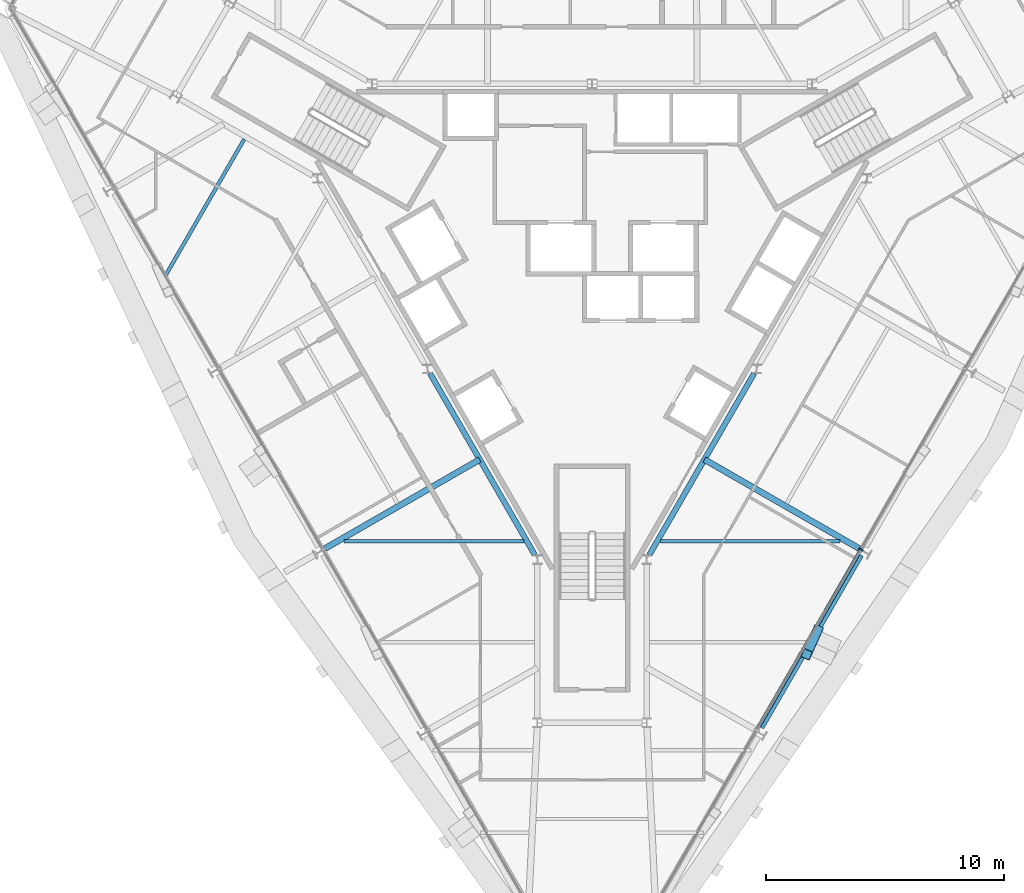
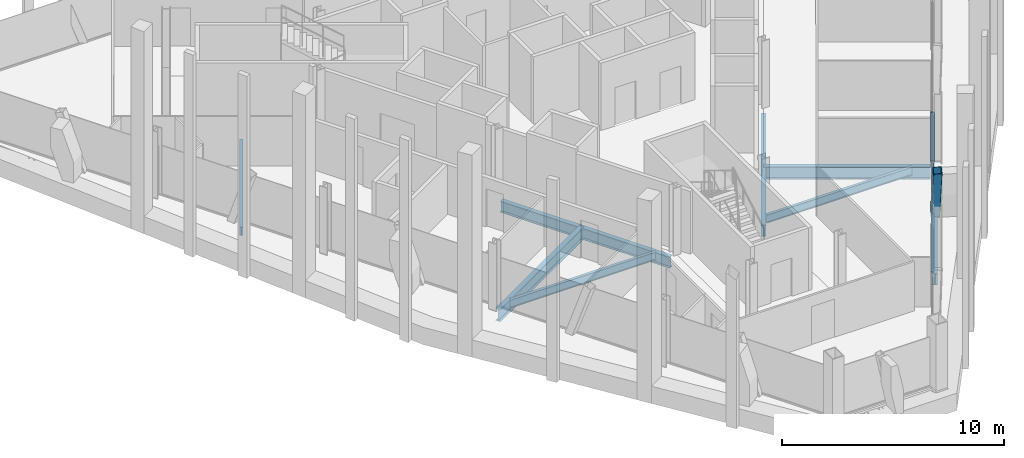
# One storey, part 4 of 14: 8 beams, 3 members, 1 element without a shape of its own.
"""IFC4 building model written with IfcOpenShell, lengths in metres."""

from ifc_helpers import new_model, si_unit, direction, frame, origin, origin_2d, place, context, subcontext, project, spatial, rectangle, hollow_rectangle, i_section, extrude, material, material_profile, profile_set, type_object, element, aggregate, save


model = new_model("IFC4")

# Units and contexts
model_context = context("Model", 3, precision=1e-05, world=origin(), true_north=direction((0.0, 1.0)))
body_context = subcontext(model_context, "Body", "Model", "MODEL_VIEW")
ifc_project = project(units=[si_unit("LENGTHUNIT", "METRE"), si_unit("AREAUNIT", "SQUARE_METRE"), si_unit("VOLUMEUNIT", "CUBIC_METRE"), si_unit("PLANEANGLEUNIT", "RADIAN"), si_unit("MASSUNIT", "GRAM", prefix="KILO")], contexts=[model_context])

# Site, building, storey
site_placement = place(None, origin())
site = spatial("IfcSite", under=ifc_project, at=site_placement, CompositionType="ELEMENT")
building_placement = place(site_placement, origin())
building = spatial("IfcBuilding", under=site, at=building_placement, Name="Verrane Prism Tower", CompositionType="ELEMENT")
storey_placement = place(building_placement, frame((0.0, 0.0, 217.5)))
storey = spatial("IfcBuildingStorey", under=building, at=storey_placement, Name="L54", CompositionType="ELEMENT", Elevation=217.5)

# Beams
ifc_material_1 = material(Name="Steel A992", Category="steel")
ifc_material_profile_1 = material_profile(ifc_material_1, i_section(OverallWidth=0.23046875, OverallDepth=0.6171875, WebThickness=0.01318359375, FlangeThickness=0.022216796875, FilletRadius=0.012939453125, at=origin_2d()), Name="W24x94")
ifc_profile_set_1 = profile_set([ifc_material_profile_1], Name="Steel A992")
beam_type_1 = type_object("IfcBeamType", Name="Core ring girder W24x94", PredefinedType="BEAM", material=ifc_profile_set_1)
for number, where, z_axis, x_axis, name in (
    (1, (-6.818603515625, -4.193115234375, -0.55859375), (0.499987781028, -0.866032458297, 0.0), (0.866032458297, 0.499987781028, 0.0), "Core ring girder L54"),
    (2, (2.411376953125, -11.826904296875, -0.55859375), (0.499987781028, 0.866032458297, 0.0), (-0.866032458297, 0.499987781028, 0.0), "Core ring girder L54"),
):
    element("IfcBeam", number, at=place(storey_placement, frame(where, z_axis=z_axis, x_axis=x_axis)), inside=storey, type_object=beam_type_1, Name=name, PredefinedType="BEAM", context=body_context, shape_type="SweptSolid", body=[
        extrude(i_section(OverallWidth=0.23046875, OverallDepth=0.6171875, WebThickness=0.01318359375, FlangeThickness=0.022216796875, FilletRadius=0.012939453125, at=origin_2d()), origin(), (0.0, 0.0, 1.0), 8.814697265625),
    ])

# Member
ifc_material_2 = material(Name="Steel A500 Grade C", Category="steel")
ifc_material_profile_2 = material_profile(ifc_material_2, hollow_rectangle(XDim=0.406494140625, YDim=0.406494140625, WallThickness=0.01904296875, InnerFilletRadius=0.009521484375, OuterFilletRadius=0.028564453125, at=origin_2d()), Name="HSS16x16x3/4")
ifc_profile_set_2 = profile_set([ifc_material_profile_2], Name="Steel A500 Grade C")
member_type_1 = type_object("IfcMemberType", Name="Facade brace HSS16x16x3/4", PredefinedType="BRACE", material=ifc_profile_set_2)
member_1_placement = place(storey_placement, frame((9.48876953125, -14.99658203125, -0.216796875), z_axis=(-0.13443318803, -0.300671652841, 0.944205631806), x_axis=(0.912906300774, -0.408169187969, 0.0)))
element("IfcMember", 3, at=member_1_placement, inside=storey, type_object=member_type_1, Name="Facade brace SE1 L54", PredefinedType="BRACE", context=body_context, shape_type="SweptSolid", body=[
    extrude(hollow_rectangle(XDim=0.406494140625, YDim=0.406494140625, WallThickness=0.01904296875, InnerFilletRadius=0.009521484375, OuterFilletRadius=0.028564453125, at=origin_2d()), origin(), (0.0, 0.0, 1.0), 3.38525390625),
])

# Beams
ifc_material_3 = material(Name="Steel A992", Category="steel")
ifc_material_profile_3 = material_profile(ifc_material_3, i_section(OverallWidth=0.15234375, OverallDepth=0.449462890625, WebThickness=0.007568359375, FlangeThickness=0.0107421875, FilletRadius=0.01025390625, at=origin_2d()), Name="W18x35")
ifc_profile_set_3 = profile_set([ifc_material_profile_3], Name="Steel A992")
beam_type_2 = type_object("IfcBeamType", Name="Floor beam W18x35", PredefinedType="BEAM", material=ifc_profile_set_3)
beam_1_placement = place(storey_placement, frame((-18.095703125, -0.318115234375, -0.384765625), z_axis=(0.499979524615, 0.866037224931, 0.0), x_axis=(-0.866037224931, 0.499979524615, 0.0)))
element("IfcBeam", 4, at=beam_1_placement, inside=storey, type_object=beam_type_2, Name="Floor beam L54", PredefinedType="BEAM", context=body_context, shape_type="SweptSolid", body=[
    extrude(i_section(OverallWidth=0.15234375, OverallDepth=0.449462890625, WebThickness=0.007568359375, FlangeThickness=0.0107421875, FilletRadius=0.01025390625, at=origin_2d()), origin(), (0.0, 0.0, 1.0), 6.905517578125),
])
for number, where, z_axis, x_axis, name in (
    (5, (-10.4423828125, -11.260009765625, -0.384765625), (1.0, 0.0, 0.0), (0.0, 1.0, 0.0), "Floor beam L54"),
    (6, (2.87158203125, -11.260009765625, -0.384765625), (1.0, 0.0, 0.0), (0.0, 1.0, 0.0), "Floor beam L54"),
):
    element("IfcBeam", number, at=place(storey_placement, frame(where, z_axis=z_axis, x_axis=x_axis)), inside=storey, type_object=beam_type_2, Name=name, PredefinedType="BEAM", context=body_context, shape_type="SweptSolid", body=[
        extrude(i_section(OverallWidth=0.15234375, OverallDepth=0.449462890625, WebThickness=0.007568359375, FlangeThickness=0.0107421875, FilletRadius=0.01025390625, at=origin_2d()), origin(), (0.0, 0.0, 1.0), 7.57080078125),
    ])

# Curtain wall, member
ifc_material_4 = material(Name="Aluminium framed insulated glazing", Category="aluminium")
curtain_wall_type = type_object("IfcCurtainWallType", Name="Curtain wall CW-A 8400 module", PredefinedType="NOTDEFINED", material=ifc_material_4)
curtain_wall_placement = place(storey_placement, origin())
curtain_wall = element("IfcCurtainWall", 7, at=curtain_wall_placement, inside=storey, type_object=curtain_wall_type, Name="Glazed curtain wall south-east face L54", PredefinedType="NOTDEFINED")
ifc_material_5 = material(Name="Aluminium alloy 6063-T6", Category="aluminium")
ifc_material_profile_4 = material_profile(ifc_material_5, rectangle(XDim=0.199951171875, YDim=0.070068359375, at=origin_2d()), Name="Mullion 70x200 aluminium")
ifc_profile_set_4 = profile_set([ifc_material_profile_4], Name="Aluminium alloy 6063-T6")
member_type_2 = type_object("IfcMemberType", Name="Mullion 70x200 aluminium", PredefinedType="MULLION", material=ifc_profile_set_4)
member_2_placement = place(storey_placement, frame((11.31591796875, -11.603759765625, 0.0), z_axis=(0.0, 0.0, 1.0), x_axis=(-0.866024862365, 0.500000937764, 0.0)))
member_2 = element("IfcMember", 8, at=member_2_placement, type_object=member_type_2, Name="CW54.6 mullion 3", PredefinedType="MULLION", context=body_context, shape_type="SweptSolid", body=[
    extrude(rectangle(XDim=0.199951171875, YDim=0.070068359375, at=origin_2d()), origin(), (0.0, 0.0, 1.0), 2.712890625),
])

# Beams
ifc_material_6 = material(Name="Steel A992", Category="steel")
ifc_material_profile_5 = material_profile(ifc_material_6, i_section(OverallWidth=0.25390625, OverallDepth=0.683349609375, WebThickness=0.012451171875, FlangeThickness=0.01904296875, FilletRadius=0.01513671875, at=origin_2d()), Name="W27x94")
ifc_profile_set_5 = profile_set([ifc_material_profile_5], Name="Steel A992")
beam_type_3 = type_object("IfcBeamType", Name="Radial girder W27x94", PredefinedType="BEAM", material=ifc_profile_set_5)
for number, where, z_axis, x_axis, name in (
    (9, (-11.2431640625, -11.561279296875, -0.5615234375), (0.866878578873, 0.498519337129, 0.0), (-0.498519337129, 0.866878578873, 0.0), "Radial girder L54"),
    (10, (11.2431640625, -11.561279296875, -0.5615234375), (-0.866878578873, 0.498519337129, 0.0), (-0.498519337129, -0.866878578873, 0.0), "Radial girder L54"),
):
    element("IfcBeam", number, at=place(storey_placement, frame(where, z_axis=z_axis, x_axis=x_axis)), inside=storey, type_object=beam_type_3, Name=name, PredefinedType="BEAM", context=body_context, shape_type="SweptSolid", body=[
        extrude(i_section(OverallWidth=0.25390625, OverallDepth=0.683349609375, WebThickness=0.012451171875, FlangeThickness=0.01904296875, FilletRadius=0.01513671875, at=origin_2d()), origin(), (0.0, 0.0, 1.0), 7.515869140625),
    ])
ifc_material_7 = material(Name="Steel A992", Category="steel")
ifc_material_profile_6 = material_profile(ifc_material_7, i_section(OverallWidth=0.23046875, OverallDepth=0.6171875, WebThickness=0.01318359375, FlangeThickness=0.022216796875, FilletRadius=0.012939453125, at=origin_2d()), Name="W24x94")
ifc_profile_set_6 = profile_set([ifc_material_profile_6], Name="Steel A992")
beam_type_4 = type_object("IfcBeamType", Name="Spandrel beam W24x94", PredefinedType="SPANDREL", material=ifc_profile_set_6)
beam_2_placement = place(storey_placement, frame((7.121337890625, -19.093994140625, -0.468505859375), z_axis=(0.500272746416, 0.865867876291, 0.0), x_axis=(-0.865867876291, 0.500272746416, 0.0)))
element("IfcBeam", 11, at=beam_2_placement, inside=storey, type_object=beam_type_4, Name="Spandrel beam L54", PredefinedType="SPANDREL", context=body_context, shape_type="SweptSolid", body=[
    extrude(i_section(OverallWidth=0.23046875, OverallDepth=0.6171875, WebThickness=0.01318359375, FlangeThickness=0.022216796875, FilletRadius=0.012939453125, at=origin_2d()), origin(), (0.0, 0.0, 1.0), 8.384033203125),
])

# Member
ifc_material_8 = material(Name="Aluminium alloy 6063-T6", Category="aluminium")
ifc_material_profile_7 = material_profile(ifc_material_8, rectangle(XDim=0.14990234375, YDim=0.070068359375, at=origin_2d()), Name="Transom 70x150 aluminium")
ifc_profile_set_7 = profile_set([ifc_material_profile_7], Name="Aluminium alloy 6063-T6")
member_type_3 = type_object("IfcMemberType", Name="Transom 70x150 aluminium", PredefinedType="USERDEFINED", material=ifc_profile_set_7)
member_3_placement = place(storey_placement, frame((6.9423828125, -19.178955078125, 0.034912109375), z_axis=(0.50001192258, 0.86601852017, 0.0), x_axis=(-0.86601852017, 0.50001192258, 0.0)))
member_3 = element("IfcMember", 12, at=member_3_placement, type_object=member_type_3, Name="CW54.6 transom 2", ObjectType="TRANSOM", PredefinedType="USERDEFINED", context=body_context, shape_type="SweptSolid", body=[
    extrude(rectangle(XDim=0.14990234375, YDim=0.070068359375, at=origin_2d()), origin(), (0.0, 0.0, 1.0), 8.712158203125),
])

aggregate(curtain_wall, [member_2, member_3])

save(model, "model.ifc")
